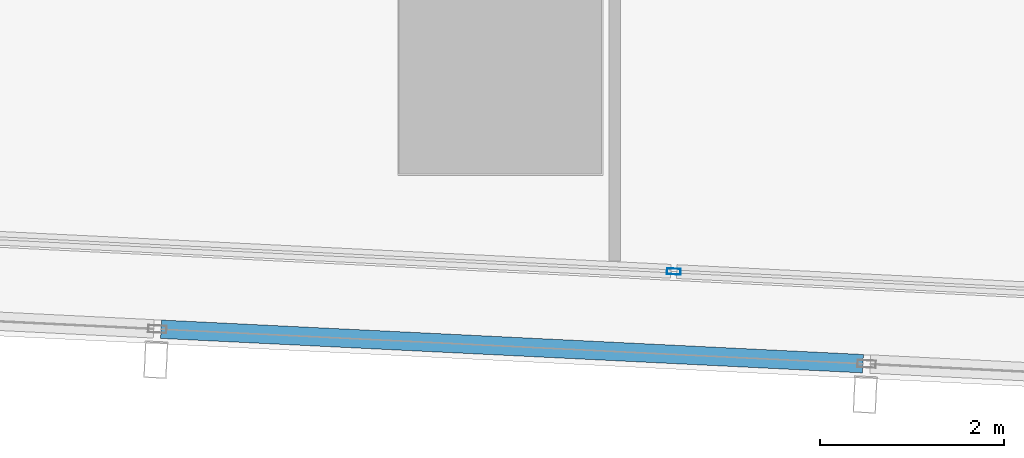
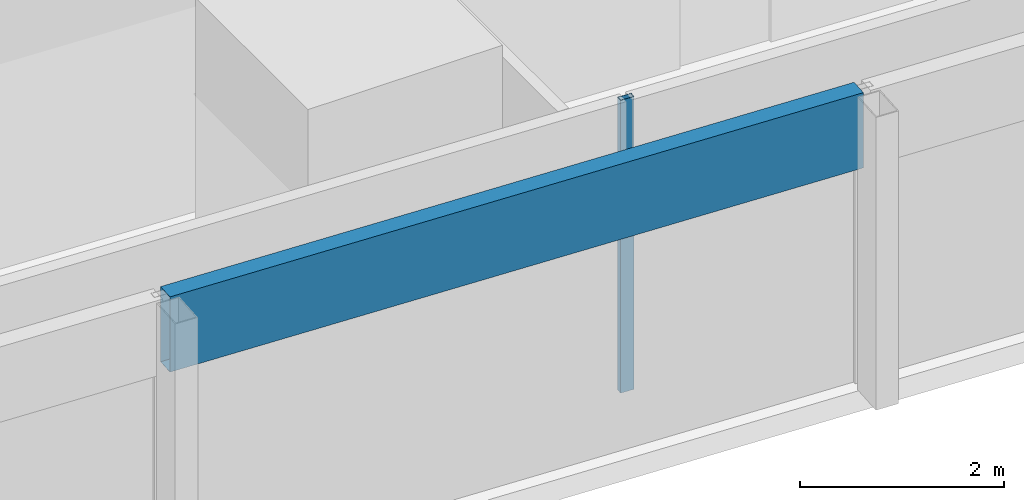
# One storey, part 6 of 45: 2 members, 2 elements without a shape of their own.
"""IFC4 building model written with IfcOpenShell, lengths in metres."""

from ifc_helpers import new_model, si_unit, direction, frame, origin, origin_2d, place, context, subcontext, project, spatial, hollow_rectangle, extrude, material, material_profile, profile_set, type_object, element, aggregate, save


model = new_model("IFC4")

# Units and contexts
model_context = context("Model", 3, precision=1e-05, world=origin(), true_north=direction((0.0, 1.0)))
body_context = subcontext(model_context, "Body", "Model", "MODEL_VIEW")
ifc_project = project(units=[si_unit("LENGTHUNIT", "METRE"), si_unit("AREAUNIT", "SQUARE_METRE"), si_unit("VOLUMEUNIT", "CUBIC_METRE"), si_unit("PLANEANGLEUNIT", "RADIAN"), si_unit("MASSUNIT", "GRAM", prefix="KILO")], contexts=[model_context])

# Site, building, storey
site_placement = place(None, origin())
site = spatial("IfcSite", under=ifc_project, at=site_placement, CompositionType="ELEMENT")
building_placement = place(site_placement, origin())
building = spatial("IfcBuilding", under=site, at=building_placement, Name="Rekha Terrace Tower", CompositionType="ELEMENT")
storey_placement = place(building_placement, frame((0.0, 0.0, 36.64990234375)))
storey = spatial("IfcBuildingStorey", under=building, at=storey_placement, Name="L08", CompositionType="ELEMENT", Elevation=36.64990234375)

# Curtain wall, member
ifc_material_1 = material(Name="Aluminium framing", Category="aluminium")
curtain_wall_type_1 = type_object("IfcCurtainWallType", Name="CW1 double skin inner glazing", PredefinedType="USERDEFINED", material=ifc_material_1)
curtain_wall_1_placement = place(storey_placement, origin())
curtain_wall_1 = element("IfcCurtainWall", 1, at=curtain_wall_1_placement, inside=storey, type_object=curtain_wall_type_1, Name="CW1 double skin inner glazing", ObjectType="DOUBLE SKIN INNER GLAZING", PredefinedType="USERDEFINED")
ifc_material_2 = material(Name="Aluminium mullion section", Category="aluminium")
ifc_material_profile_1 = material_profile(ifc_material_2, hollow_rectangle(XDim=0.06494140625, YDim=0.14990234375, WallThickness=0.00390625, at=origin_2d()), Name="AL RHS 65x150")
ifc_profile_set_1 = profile_set([ifc_material_profile_1], Name="Aluminium mullion section")
member_type_1 = type_object("IfcMemberType", Name="CW1 mullion RHS 65 x 150", PredefinedType="MULLION", material=ifc_profile_set_1)
member_1_placement = place(storey_placement, frame((35.48388671875, 6.24267578125, 0.0), z_axis=(0.0, 0.0, 1.0), x_axis=(0.049051717746, 0.998796239974, 0.0)))
member_1 = element("IfcMember", 2, at=member_1_placement, type_object=member_type_1, Name="CW1 mullion 3", PredefinedType="MULLION", context=body_context, shape_type="SweptSolid", body=[
    extrude(hollow_rectangle(XDim=0.06494140625, YDim=0.14990234375, WallThickness=0.00390625, at=origin_2d()), origin(), (0.0, 0.0, 1.0), 3.5),
])
aggregate(curtain_wall_1, [member_1])

curtain_wall_type_2 = type_object("IfcCurtainWallType", Name="CW2 double skin outer glazing", PredefinedType="USERDEFINED", material=ifc_material_1)
curtain_wall_2_placement = place(storey_placement, origin())
curtain_wall_2 = element("IfcCurtainWall", 3, at=curtain_wall_2_placement, inside=storey, type_object=curtain_wall_type_2, Name="CW2 double skin outer glazing", ObjectType="DOUBLE SKIN OUTER GLAZING", PredefinedType="USERDEFINED")
ifc_material_3 = material(Name="Insulated aluminium spandrel box", Category="aluminium")
ifc_material_profile_2 = material_profile(ifc_material_3, hollow_rectangle(XDim=0.199951171875, YDim=0.89990234375, WallThickness=0.0029296875, at=origin_2d()), Name="AL SPANDREL BOX 200x900")
ifc_profile_set_2 = profile_set([ifc_material_profile_2], Name="Insulated aluminium spandrel box")
member_type_2 = type_object("IfcMemberType", Name="CW2 spandrel transom 200 x 900", PredefinedType="USERDEFINED", material=ifc_profile_set_2)
member_2_placement = place(storey_placement, frame((29.91259765625, 5.615234375, 3.050048828125), z_axis=(0.998796434643, -0.049047753721, 0.0), x_axis=(0.049047753721, 0.998796434643, 0.0)))
member_2 = element("IfcMember", 4, at=member_2_placement, type_object=member_type_2, Name="CW2 spandrel transom 4", ObjectType="TRANSOM", PredefinedType="USERDEFINED", context=body_context, shape_type="SweptSolid", body=[
    extrude(hollow_rectangle(XDim=0.199951171875, YDim=0.89990234375, WallThickness=0.0029296875, at=origin_2d()), origin(), (0.0, 0.0, 1.0), 7.6357421875),
])
aggregate(curtain_wall_2, [member_2])

save(model, "model.ifc")
